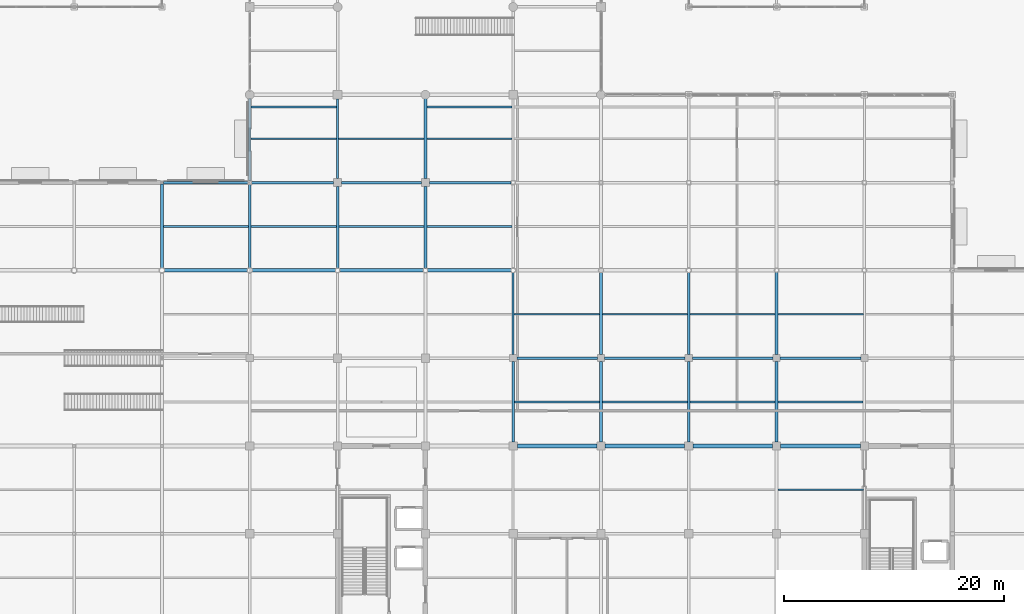
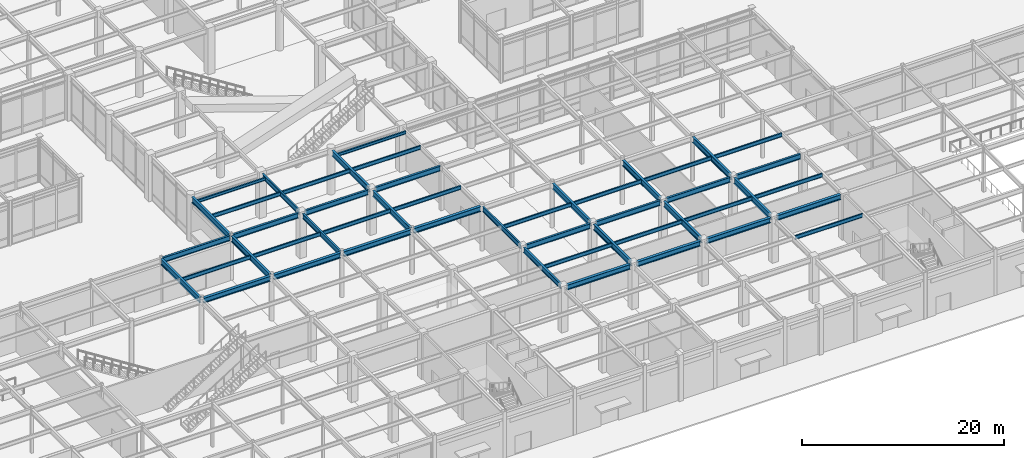
# One storey, part 48 of 128: 49 beams.
"""IFC4 building model written with IfcOpenShell, lengths in metres."""

from ifc_helpers import new_model, si_unit, direction, frame, origin, origin_2d, place, context, subcontext, project, spatial, i_section, extrude, material, material_profile, profile_set, type_object, element, save


model = new_model("IFC4")

# Units and contexts
model_context = context("Model", 3, precision=1e-05, world=origin(), true_north=direction((0.0, 1.0)))
body_context = subcontext(model_context, "Body", "Model", "MODEL_VIEW")
ifc_project = project(units=[si_unit("LENGTHUNIT", "METRE"), si_unit("AREAUNIT", "SQUARE_METRE"), si_unit("VOLUMEUNIT", "CUBIC_METRE"), si_unit("PLANEANGLEUNIT", "RADIAN"), si_unit("MASSUNIT", "GRAM", prefix="KILO")], contexts=[model_context])

# Site, building, storey
site_placement = place(None, origin())
site = spatial("IfcSite", under=ifc_project, at=site_placement, CompositionType="ELEMENT")
building_placement = place(site_placement, origin())
building = spatial("IfcBuilding", under=site, at=building_placement, Name="Solmirada Galleria", CompositionType="ELEMENT")
storey_placement = place(building_placement, origin())
storey = spatial("IfcBuildingStorey", under=building, at=storey_placement, Name="L00", CompositionType="ELEMENT", Elevation=0.0)

# Beams
ifc_material = material(Name="Steel S355 / ASTM A992 Grade 50", Category="steel")
ifc_material_profile_1 = material_profile(ifc_material, i_section(OverallWidth=0.323974609375, OverallDepth=0.611083984375, WebThickness=0.0126953125, FlangeThickness=0.01904296875, FilletRadius=0.014892578125, at=origin_2d()), Name="W24X104")
ifc_profile_set_1 = profile_set([ifc_material_profile_1], Name="Steel S355 / ASTM A992 Grade 50")
beam_type_1 = type_object("IfcBeamType", Name="BM-GIRD-W24A", PredefinedType="BEAM", material=ifc_profile_set_1)
beam_1_placement = place(storey_placement, frame((72.21337890625, 32.0, 5.074462890625), z_axis=(1.0, 0.0, 0.0), x_axis=(0.0, 1.0, 0.0)))
element("IfcBeam", 1, at=beam_1_placement, inside=storey, type_object=beam_type_1, Name="Primary beam L01 X(72..80, 32)", PredefinedType="BEAM", context=body_context, shape_type="SweptSolid", body=[
    extrude(i_section(OverallWidth=0.323974609375, OverallDepth=0.611083984375, WebThickness=0.0126953125, FlangeThickness=0.01904296875, FilletRadius=0.014892578125, at=origin_2d()), origin(), (0.0, 0.0, 1.0), 7.5732421875),
])
beam_2_placement = place(storey_placement, frame((80.21337890625, 32.0, 5.074462890625), z_axis=(1.0, 0.0, 0.0), x_axis=(0.0, 1.0, 0.0)))
element("IfcBeam", 2, at=beam_2_placement, inside=storey, type_object=beam_type_1, Name="Primary beam L01 X(80..88, 32)", PredefinedType="BEAM", context=body_context, shape_type="SweptSolid", body=[
    extrude(i_section(OverallWidth=0.323974609375, OverallDepth=0.611083984375, WebThickness=0.0126953125, FlangeThickness=0.01904296875, FilletRadius=0.014892578125, at=origin_2d()), origin(), (0.0, 0.0, 1.0), 7.5947265625),
])
for number, where, z_axis, x_axis, name in (
    (3, (88.19189453125, 32.0, 5.074462890625), (1.0, 0.0, 0.0), (0.0, 1.0, 0.0), "Primary beam L01 X(88..96, 32)"),
    (4, (96.19189453125, 32.0, 5.074462890625), (1.0, 0.0, 0.0), (0.0, 1.0, 0.0), "Primary beam L01 X(96..104, 32)"),
):
    element("IfcBeam", number, at=place(storey_placement, frame(where, z_axis=z_axis, x_axis=x_axis)), inside=storey, type_object=beam_type_1, Name=name, PredefinedType="BEAM", context=body_context, shape_type="SweptSolid", body=[
        extrude(i_section(OverallWidth=0.323974609375, OverallDepth=0.611083984375, WebThickness=0.0126953125, FlangeThickness=0.01904296875, FilletRadius=0.014892578125, at=origin_2d()), origin(), (0.0, 0.0, 1.0), 7.6162109375),
    ])
for number, where, z_axis, x_axis, name in (
    (5, (104.375, 16.0, 5.074462890625), (1.0, 0.0, 0.0), (0.0, 1.0, 0.0), "Primary beam L01 X(104..112, 16)"),
    (6, (112.375, 16.0, 5.074462890625), (1.0, 0.0, 0.0), (0.0, 1.0, 0.0), "Primary beam L01 X(112..120, 16)"),
    (7, (120.375, 16.0, 5.074462890625), (1.0, 0.0, 0.0), (0.0, 1.0, 0.0), "Primary beam L01 X(120..128, 16)"),
    (8, (128.375, 16.0, 5.074462890625), (1.0, 0.0, 0.0), (0.0, 1.0, 0.0), "Primary beam L01 X(128..136, 16)"),
):
    element("IfcBeam", number, at=place(storey_placement, frame(where, z_axis=z_axis, x_axis=x_axis)), inside=storey, type_object=beam_type_1, Name=name, PredefinedType="BEAM", context=body_context, shape_type="SweptSolid", body=[
        extrude(i_section(OverallWidth=0.323974609375, OverallDepth=0.611083984375, WebThickness=0.0126953125, FlangeThickness=0.01904296875, FilletRadius=0.014892578125, at=origin_2d()), origin(), (0.0, 0.0, 1.0), 7.25),
    ])
ifc_material_profile_2 = material_profile(ifc_material, i_section(OverallWidth=0.22900390625, OverallDepth=0.612060546875, WebThickness=0.011962890625, FlangeThickness=0.01953125, FilletRadius=0.014892578125, at=origin_2d()), Name="W24X84")
ifc_profile_set_2 = profile_set([ifc_material_profile_2], Name="Steel S355 / ASTM A992 Grade 50")
beam_type_2 = type_object("IfcBeamType", Name="BM-GIRD-W24B", PredefinedType="BEAM", material=ifc_profile_set_2)
beam_3_placement = place(storey_placement, frame((72.126953125, 40.0, 5.073974609375), z_axis=(1.0, 0.0, 0.0), x_axis=(0.0, 1.0, 0.0)))
element("IfcBeam", 9, at=beam_3_placement, inside=storey, type_object=beam_type_2, Name="Primary beam L01 X(72..80, 40)", PredefinedType="BEAM", context=body_context, shape_type="SweptSolid", body=[
    extrude(i_section(OverallWidth=0.22900390625, OverallDepth=0.612060546875, WebThickness=0.011962890625, FlangeThickness=0.01953125, FilletRadius=0.014892578125, at=origin_2d()), origin(), (0.0, 0.0, 1.0), 7.695068359375),
])
beam_4_placement = place(storey_placement, frame((80.177978515625, 40.0, 5.073974609375), z_axis=(1.0, 0.0, 0.0), x_axis=(0.0, 1.0, 0.0)))
element("IfcBeam", 10, at=beam_4_placement, inside=storey, type_object=beam_type_2, Name="Primary beam L01 X(80..88, 40)", PredefinedType="BEAM", context=body_context, shape_type="SweptSolid", body=[
    extrude(i_section(OverallWidth=0.22900390625, OverallDepth=0.612060546875, WebThickness=0.011962890625, FlangeThickness=0.01953125, FilletRadius=0.014892578125, at=origin_2d()), origin(), (0.0, 0.0, 1.0), 7.447021484375),
])
beam_5_placement = place(storey_placement, frame((88.375, 40.0, 5.073974609375), z_axis=(1.0, 0.0, 0.0), x_axis=(0.0, 1.0, 0.0)))
element("IfcBeam", 11, at=beam_5_placement, inside=storey, type_object=beam_type_2, Name="Primary beam L01 X(88..96, 40)", PredefinedType="BEAM", context=body_context, shape_type="SweptSolid", body=[
    extrude(i_section(OverallWidth=0.22900390625, OverallDepth=0.612060546875, WebThickness=0.011962890625, FlangeThickness=0.01953125, FilletRadius=0.014892578125, at=origin_2d()), origin(), (0.0, 0.0, 1.0), 7.25),
])
beam_6_placement = place(storey_placement, frame((96.375, 40.0, 5.073974609375), z_axis=(1.0, 0.0, 0.0), x_axis=(0.0, 1.0, 0.0)))
element("IfcBeam", 12, at=beam_6_placement, inside=storey, type_object=beam_type_2, Name="Primary beam L01 X(96..104, 40)", PredefinedType="BEAM", context=body_context, shape_type="SweptSolid", body=[
    extrude(i_section(OverallWidth=0.22900390625, OverallDepth=0.612060546875, WebThickness=0.011962890625, FlangeThickness=0.01953125, FilletRadius=0.014892578125, at=origin_2d()), origin(), (0.0, 0.0, 1.0), 7.447021484375),
])
for number, where, z_axis, x_axis, name in (
    (13, (104.324951171875, 24.0, 5.073974609375), (1.0, 0.0, 0.0), (0.0, 1.0, 0.0), "Primary beam L01 X(104..112, 24)"),
    (14, (112.324951171875, 24.0, 5.073974609375), (1.0, 0.0, 0.0), (0.0, 1.0, 0.0), "Primary beam L01 X(112..120, 24)"),
    (15, (120.324951171875, 24.0, 5.073974609375), (1.0, 0.0, 0.0), (0.0, 1.0, 0.0), "Primary beam L01 X(120..128, 24)"),
    (16, (128.324951171875, 24.0, 5.073974609375), (1.0, 0.0, 0.0), (0.0, 1.0, 0.0), "Primary beam L01 X(128..136, 24)"),
):
    element("IfcBeam", number, at=place(storey_placement, frame(where, z_axis=z_axis, x_axis=x_axis)), inside=storey, type_object=beam_type_2, Name=name, PredefinedType="BEAM", context=body_context, shape_type="SweptSolid", body=[
        extrude(i_section(OverallWidth=0.22900390625, OverallDepth=0.612060546875, WebThickness=0.011962890625, FlangeThickness=0.01953125, FilletRadius=0.014892578125, at=origin_2d()), origin(), (0.0, 0.0, 1.0), 7.35009765625),
    ])
ifc_material_profile_3 = material_profile(ifc_material, i_section(OverallWidth=0.22802734375, OverallDepth=0.60302734375, WebThickness=0.010498046875, FlangeThickness=0.014892578125, FilletRadius=0.014892578125, at=origin_2d()), Name="W24X68")
ifc_profile_set_3 = profile_set([ifc_material_profile_3], Name="Steel S355 / ASTM A992 Grade 50")
beam_type_3 = type_object("IfcBeamType", Name="BM-GIRD-W24C", PredefinedType="BEAM", material=ifc_profile_set_3)
beam_7_placement = place(storey_placement, frame((88.0, 32.19189453125, 5.07861328125), z_axis=(0.0, 1.0, 0.0), x_axis=(-1.0, 0.0, 0.0)))
element("IfcBeam", 17, at=beam_7_placement, inside=storey, type_object=beam_type_3, Name="Primary girder L01 Y(88, 32..40)", PredefinedType="BEAM", context=body_context, shape_type="SweptSolid", body=[
    extrude(i_section(OverallWidth=0.22802734375, OverallDepth=0.60302734375, WebThickness=0.010498046875, FlangeThickness=0.014892578125, FilletRadius=0.014892578125, at=origin_2d()), origin(), (0.0, 0.0, 1.0), 7.43310546875),
])
beam_8_placement = place(storey_placement, frame((104.0, 16.375, 5.07861328125), z_axis=(0.0, 1.0, 0.0), x_axis=(-1.0, 0.0, 0.0)))
element("IfcBeam", 18, at=beam_8_placement, inside=storey, type_object=beam_type_3, Name="Primary girder L01 Y(104, 16..24)", PredefinedType="BEAM", context=body_context, shape_type="SweptSolid", body=[
    extrude(i_section(OverallWidth=0.22802734375, OverallDepth=0.60302734375, WebThickness=0.010498046875, FlangeThickness=0.014892578125, FilletRadius=0.014892578125, at=origin_2d()), origin(), (0.0, 0.0, 1.0), 7.300048828125),
])
ifc_material_profile_4 = material_profile(ifc_material, i_section(OverallWidth=0.177978515625, OverallDepth=0.59912109375, WebThickness=0.010009765625, FlangeThickness=0.0126953125, FilletRadius=0.013916015625, at=origin_2d()), Name="W24X55")
ifc_profile_set_4 = profile_set([ifc_material_profile_4], Name="Steel S355 / ASTM A992 Grade 50")
beam_type_4 = type_object("IfcBeamType", Name="BM-GIRD-W24D", PredefinedType="BEAM", material=ifc_profile_set_4)
beam_9_placement = place(storey_placement, frame((88.0, 40.375, 5.060546875), z_axis=(0.0, 1.0, 0.0), x_axis=(-1.0, 0.0, 0.0)))
element("IfcBeam", 19, at=beam_9_placement, inside=storey, type_object=beam_type_4, Name="Primary girder L01 Y(88, 40..48)", PredefinedType="BEAM", context=body_context, shape_type="SweptSolid", body=[
    extrude(i_section(OverallWidth=0.177978515625, OverallDepth=0.59912109375, WebThickness=0.010009765625, FlangeThickness=0.0126953125, FilletRadius=0.013916015625, at=origin_2d()), origin(), (0.0, 0.0, 1.0), 7.22509765625),
])
beam_10_placement = place(storey_placement, frame((104.0, 24.324951171875, 5.08056640625), z_axis=(0.0, 1.0, 0.0), x_axis=(-1.0, 0.0, 0.0)))
element("IfcBeam", 20, at=beam_10_placement, inside=storey, type_object=beam_type_4, Name="Primary girder L01 Y(104, 24..32)", PredefinedType="BEAM", context=body_context, shape_type="SweptSolid", body=[
    extrude(i_section(OverallWidth=0.177978515625, OverallDepth=0.59912109375, WebThickness=0.010009765625, FlangeThickness=0.0126953125, FilletRadius=0.013916015625, at=origin_2d()), origin(), (0.0, 0.0, 1.0), 7.483154296875),
])
ifc_material_profile_5 = material_profile(ifc_material, i_section(OverallWidth=0.256103515625, OverallDepth=0.693115234375, WebThickness=0.014404296875, FlangeThickness=0.023681640625, FilletRadius=0.01806640625, at=origin_2d()), Name="W27X114")
ifc_profile_set_5 = profile_set([ifc_material_profile_5], Name="Steel S355 / ASTM A992 Grade 50")
beam_type_5 = type_object("IfcBeamType", Name="BM-GIRD-W27A", PredefinedType="BEAM", material=ifc_profile_set_5)
beam_11_placement = place(storey_placement, frame((72.0, 32.21337890625, 5.033447265625), z_axis=(0.0, 1.0, 0.0), x_axis=(-1.0, 0.0, 0.0)))
element("IfcBeam", 21, at=beam_11_placement, inside=storey, type_object=beam_type_5, Name="Primary girder L01 Y(72, 32..40)", PredefinedType="BEAM", context=body_context, shape_type="SweptSolid", body=[
    extrude(i_section(OverallWidth=0.256103515625, OverallDepth=0.693115234375, WebThickness=0.014404296875, FlangeThickness=0.023681640625, FilletRadius=0.01806640625, at=origin_2d()), origin(), (0.0, 0.0, 1.0), 7.65966796875),
])
beam_12_placement = place(storey_placement, frame((96.0, 32.19189453125, 5.033447265625), z_axis=(0.0, 1.0, 0.0), x_axis=(-1.0, 0.0, 0.0)))
element("IfcBeam", 22, at=beam_12_placement, inside=storey, type_object=beam_type_5, Name="Primary girder L01 Y(96, 32..40)", PredefinedType="BEAM", context=body_context, shape_type="SweptSolid", body=[
    extrude(i_section(OverallWidth=0.256103515625, OverallDepth=0.693115234375, WebThickness=0.014404296875, FlangeThickness=0.023681640625, FilletRadius=0.01806640625, at=origin_2d()), origin(), (0.0, 0.0, 1.0), 7.43310546875),
])
beam_13_placement = place(storey_placement, frame((96.0, 40.375, 5.013427734375), z_axis=(0.0, 1.0, 0.0), x_axis=(-1.0, 0.0, 0.0)))
element("IfcBeam", 23, at=beam_13_placement, inside=storey, type_object=beam_type_5, Name="Primary girder L01 Y(96, 40..48)", PredefinedType="BEAM", context=body_context, shape_type="SweptSolid", body=[
    extrude(i_section(OverallWidth=0.256103515625, OverallDepth=0.693115234375, WebThickness=0.014404296875, FlangeThickness=0.023681640625, FilletRadius=0.01806640625, at=origin_2d()), origin(), (0.0, 0.0, 1.0), 7.2890625),
])
beam_14_placement = place(storey_placement, frame((120.0, 16.375, 5.033447265625), z_axis=(0.0, 1.0, 0.0), x_axis=(-1.0, 0.0, 0.0)))
element("IfcBeam", 24, at=beam_14_placement, inside=storey, type_object=beam_type_5, Name="Primary girder L01 Y(120, 16..24)", PredefinedType="BEAM", context=body_context, shape_type="SweptSolid", body=[
    extrude(i_section(OverallWidth=0.256103515625, OverallDepth=0.693115234375, WebThickness=0.014404296875, FlangeThickness=0.023681640625, FilletRadius=0.01806640625, at=origin_2d()), origin(), (0.0, 0.0, 1.0), 7.300048828125),
])
beam_15_placement = place(storey_placement, frame((120.0, 24.324951171875, 5.033447265625), z_axis=(0.0, 1.0, 0.0), x_axis=(-1.0, 0.0, 0.0)))
element("IfcBeam", 25, at=beam_15_placement, inside=storey, type_object=beam_type_5, Name="Primary girder L01 Y(120, 24..32)", PredefinedType="BEAM", context=body_context, shape_type="SweptSolid", body=[
    extrude(i_section(OverallWidth=0.256103515625, OverallDepth=0.693115234375, WebThickness=0.014404296875, FlangeThickness=0.023681640625, FilletRadius=0.01806640625, at=origin_2d()), origin(), (0.0, 0.0, 1.0), 7.483154296875),
])
ifc_material_profile_6 = material_profile(ifc_material, i_section(OverallWidth=0.25390625, OverallDepth=0.68408203125, WebThickness=0.012451171875, FlangeThickness=0.018798828125, FilletRadius=0.01708984375, at=origin_2d()), Name="W27X94")
ifc_profile_set_6 = profile_set([ifc_material_profile_6], Name="Steel S355 / ASTM A992 Grade 50")
beam_type_6 = type_object("IfcBeamType", Name="BM-GIRD-W27B", PredefinedType="BEAM", material=ifc_profile_set_6)
beam_16_placement = place(storey_placement, frame((80.0, 32.21337890625, 5.0380859375), z_axis=(0.0, 1.0, 0.0), x_axis=(-1.0, 0.0, 0.0)))
element("IfcBeam", 26, at=beam_16_placement, inside=storey, type_object=beam_type_6, Name="Primary girder L01 Y(80, 32..40)", PredefinedType="BEAM", context=body_context, shape_type="SweptSolid", body=[
    extrude(i_section(OverallWidth=0.25390625, OverallDepth=0.68408203125, WebThickness=0.012451171875, FlangeThickness=0.018798828125, FilletRadius=0.01708984375, at=origin_2d()), origin(), (0.0, 0.0, 1.0), 7.608642578125),
])
beam_17_placement = place(storey_placement, frame((80.0, 40.177978515625, 5.01806640625), z_axis=(0.0, 1.0, 0.0), x_axis=(-1.0, 0.0, 0.0)))
element("IfcBeam", 27, at=beam_17_placement, inside=storey, type_object=beam_type_6, Name="Primary girder L01 Y(80, 40..48)", PredefinedType="BEAM", context=body_context, shape_type="SweptSolid", body=[
    extrude(i_section(OverallWidth=0.25390625, OverallDepth=0.68408203125, WebThickness=0.012451171875, FlangeThickness=0.018798828125, FilletRadius=0.01708984375, at=origin_2d()), origin(), (0.0, 0.0, 1.0), 7.486083984375),
])
beam_18_placement = place(storey_placement, frame((112.0, 16.375, 5.0380859375), z_axis=(0.0, 1.0, 0.0), x_axis=(-1.0, 0.0, 0.0)))
element("IfcBeam", 28, at=beam_18_placement, inside=storey, type_object=beam_type_6, Name="Primary girder L01 Y(112, 16..24)", PredefinedType="BEAM", context=body_context, shape_type="SweptSolid", body=[
    extrude(i_section(OverallWidth=0.25390625, OverallDepth=0.68408203125, WebThickness=0.012451171875, FlangeThickness=0.018798828125, FilletRadius=0.01708984375, at=origin_2d()), origin(), (0.0, 0.0, 1.0), 7.300048828125),
])
beam_19_placement = place(storey_placement, frame((112.0, 24.324951171875, 5.0380859375), z_axis=(0.0, 1.0, 0.0), x_axis=(-1.0, 0.0, 0.0)))
element("IfcBeam", 29, at=beam_19_placement, inside=storey, type_object=beam_type_6, Name="Primary girder L01 Y(112, 24..32)", PredefinedType="BEAM", context=body_context, shape_type="SweptSolid", body=[
    extrude(i_section(OverallWidth=0.25390625, OverallDepth=0.68408203125, WebThickness=0.012451171875, FlangeThickness=0.018798828125, FilletRadius=0.01708984375, at=origin_2d()), origin(), (0.0, 0.0, 1.0), 7.483154296875),
])
beam_20_placement = place(storey_placement, frame((128.0, 16.375, 5.0380859375), z_axis=(0.0, 1.0, 0.0), x_axis=(-1.0, 0.0, 0.0)))
element("IfcBeam", 30, at=beam_20_placement, inside=storey, type_object=beam_type_6, Name="Primary girder L01 Y(128, 16..24)", PredefinedType="BEAM", context=body_context, shape_type="SweptSolid", body=[
    extrude(i_section(OverallWidth=0.25390625, OverallDepth=0.68408203125, WebThickness=0.012451171875, FlangeThickness=0.018798828125, FilletRadius=0.01708984375, at=origin_2d()), origin(), (0.0, 0.0, 1.0), 7.300048828125),
])
beam_21_placement = place(storey_placement, frame((128.0, 24.324951171875, 5.0380859375), z_axis=(0.0, 1.0, 0.0), x_axis=(-1.0, 0.0, 0.0)))
element("IfcBeam", 31, at=beam_21_placement, inside=storey, type_object=beam_type_6, Name="Primary girder L01 Y(128, 24..32)", PredefinedType="BEAM", context=body_context, shape_type="SweptSolid", body=[
    extrude(i_section(OverallWidth=0.25390625, OverallDepth=0.68408203125, WebThickness=0.012451171875, FlangeThickness=0.018798828125, FilletRadius=0.01708984375, at=origin_2d()), origin(), (0.0, 0.0, 1.0), 7.504638671875),
])
ifc_material_profile_7 = material_profile(ifc_material, i_section(OverallWidth=0.1708984375, OverallDepth=0.35205078125, WebThickness=0.0068359375, FlangeThickness=0.009765625, FilletRadius=0.010986328125, at=origin_2d()), Name="W14X30")
ifc_profile_set_7 = profile_set([ifc_material_profile_7], Name="Steel S355 / ASTM A992 Grade 50")
beam_type_7 = type_object("IfcBeamType", Name="BM-JST-W14B", PredefinedType="JOIST", material=ifc_profile_set_7)
beam_22_placement = place(storey_placement, frame((80.126953125, 46.89990234375, 5.18408203125), z_axis=(1.0, 0.0, 0.0), x_axis=(0.0, 1.0, 0.0)))
element("IfcBeam", 32, at=beam_22_placement, inside=storey, type_object=beam_type_7, Name="Terrace deck joist L01-TERR-SW X=80..88 (2)", PredefinedType="JOIST", context=body_context, shape_type="SweptSolid", body=[
    extrude(i_section(OverallWidth=0.1708984375, OverallDepth=0.35205078125, WebThickness=0.0068359375, FlangeThickness=0.009765625, FilletRadius=0.010986328125, at=origin_2d()), origin(), (0.0, 0.0, 1.0), 7.783935546875),
])
beam_23_placement = place(storey_placement, frame((96.1279296875, 46.89990234375, 5.18408203125), z_axis=(1.0, 0.0, 0.0), x_axis=(0.0, 1.0, 0.0)))
element("IfcBeam", 33, at=beam_23_placement, inside=storey, type_object=beam_type_7, Name="Terrace deck joist L01-TERR-SE X=96..104 (2)", PredefinedType="JOIST", context=body_context, shape_type="SweptSolid", body=[
    extrude(i_section(OverallWidth=0.1708984375, OverallDepth=0.35205078125, WebThickness=0.0068359375, FlangeThickness=0.009765625, FilletRadius=0.010986328125, at=origin_2d()), origin(), (0.0, 0.0, 1.0), 7.782958984375),
])
ifc_material_profile_8 = material_profile(ifc_material, i_section(OverallWidth=0.153076171875, OverallDepth=0.455078125, WebThickness=0.008056640625, FlangeThickness=0.01318359375, FilletRadius=0.011962890625, at=origin_2d()), Name="W18X40")
ifc_profile_set_8 = profile_set([ifc_material_profile_8], Name="Steel S355 / ASTM A992 Grade 50")
beam_type_8 = type_object("IfcBeamType", Name="BM-JST-W18A", PredefinedType="JOIST", material=ifc_profile_set_8)
beam_24_placement = place(storey_placement, frame((72.1279296875, 36.0, 5.152587890625), z_axis=(1.0, 0.0, 0.0), x_axis=(0.0, 1.0, 0.0)))
element("IfcBeam", 34, at=beam_24_placement, inside=storey, type_object=beam_type_8, Name="Composite floor joist L01 (72..80, 36.0)", PredefinedType="JOIST", context=body_context, shape_type="SweptSolid", body=[
    extrude(i_section(OverallWidth=0.153076171875, OverallDepth=0.455078125, WebThickness=0.008056640625, FlangeThickness=0.01318359375, FilletRadius=0.011962890625, at=origin_2d()), origin(), (0.0, 0.0, 1.0), 7.7451171875),
])
beam_25_placement = place(storey_placement, frame((80.126953125, 36.0, 5.152587890625), z_axis=(1.0, 0.0, 0.0), x_axis=(0.0, 1.0, 0.0)))
element("IfcBeam", 35, at=beam_25_placement, inside=storey, type_object=beam_type_8, Name="Composite floor joist L01 (80..88, 36.0)", PredefinedType="JOIST", context=body_context, shape_type="SweptSolid", body=[
    extrude(i_section(OverallWidth=0.153076171875, OverallDepth=0.455078125, WebThickness=0.008056640625, FlangeThickness=0.01318359375, FilletRadius=0.011962890625, at=origin_2d()), origin(), (0.0, 0.0, 1.0), 7.759033203125),
])
beam_26_placement = place(storey_placement, frame((80.126953125, 44.0, 5.132568359375), z_axis=(1.0, 0.0, 0.0), x_axis=(0.0, 1.0, 0.0)))
element("IfcBeam", 36, at=beam_26_placement, inside=storey, type_object=beam_type_8, Name="Composite floor joist L01 (80..88, 44.0)", PredefinedType="JOIST", context=body_context, shape_type="SweptSolid", body=[
    extrude(i_section(OverallWidth=0.153076171875, OverallDepth=0.455078125, WebThickness=0.008056640625, FlangeThickness=0.01318359375, FilletRadius=0.011962890625, at=origin_2d()), origin(), (0.0, 0.0, 1.0), 7.783935546875),
])
beam_27_placement = place(storey_placement, frame((88.114013671875, 36.0, 5.152587890625), z_axis=(1.0, 0.0, 0.0), x_axis=(0.0, 1.0, 0.0)))
element("IfcBeam", 37, at=beam_27_placement, inside=storey, type_object=beam_type_8, Name="Composite floor joist L01 (88..96, 36.0)", PredefinedType="JOIST", context=body_context, shape_type="SweptSolid", body=[
    extrude(i_section(OverallWidth=0.153076171875, OverallDepth=0.455078125, WebThickness=0.008056640625, FlangeThickness=0.01318359375, FilletRadius=0.011962890625, at=origin_2d()), origin(), (0.0, 0.0, 1.0), 7.758056640625),
])
beam_28_placement = place(storey_placement, frame((88.089111328125, 44.0, 5.132568359375), z_axis=(1.0, 0.0, 0.0), x_axis=(0.0, 1.0, 0.0)))
element("IfcBeam", 38, at=beam_28_placement, inside=storey, type_object=beam_type_8, Name="Composite floor joist L01 (88..96, 44.0)", PredefinedType="JOIST", context=body_context, shape_type="SweptSolid", body=[
    extrude(i_section(OverallWidth=0.153076171875, OverallDepth=0.455078125, WebThickness=0.008056640625, FlangeThickness=0.01318359375, FilletRadius=0.011962890625, at=origin_2d()), origin(), (0.0, 0.0, 1.0), 7.782958984375),
])
beam_29_placement = place(storey_placement, frame((96.1279296875, 36.0, 5.152587890625), z_axis=(1.0, 0.0, 0.0), x_axis=(0.0, 1.0, 0.0)))
element("IfcBeam", 39, at=beam_29_placement, inside=storey, type_object=beam_type_8, Name="Composite floor joist L01 (96..104, 36.0)", PredefinedType="JOIST", context=body_context, shape_type="SweptSolid", body=[
    extrude(i_section(OverallWidth=0.153076171875, OverallDepth=0.455078125, WebThickness=0.008056640625, FlangeThickness=0.01318359375, FilletRadius=0.011962890625, at=origin_2d()), origin(), (0.0, 0.0, 1.0), 7.758056640625),
])
beam_30_placement = place(storey_placement, frame((96.1279296875, 44.0, 5.132568359375), z_axis=(1.0, 0.0, 0.0), x_axis=(0.0, 1.0, 0.0)))
element("IfcBeam", 40, at=beam_30_placement, inside=storey, type_object=beam_type_8, Name="Composite floor joist L01 (96..104, 44.0)", PredefinedType="JOIST", context=body_context, shape_type="SweptSolid", body=[
    extrude(i_section(OverallWidth=0.153076171875, OverallDepth=0.455078125, WebThickness=0.008056640625, FlangeThickness=0.01318359375, FilletRadius=0.011962890625, at=origin_2d()), origin(), (0.0, 0.0, 1.0), 7.782958984375),
])
beam_31_placement = place(storey_placement, frame((104.114013671875, 20.0, 5.152587890625), z_axis=(1.0, 0.0, 0.0), x_axis=(0.0, 1.0, 0.0)))
element("IfcBeam", 41, at=beam_31_placement, inside=storey, type_object=beam_type_8, Name="Composite floor joist L01 (104..112, 20.0)", PredefinedType="JOIST", context=body_context, shape_type="SweptSolid", body=[
    extrude(i_section(OverallWidth=0.153076171875, OverallDepth=0.455078125, WebThickness=0.008056640625, FlangeThickness=0.01318359375, FilletRadius=0.011962890625, at=origin_2d()), origin(), (0.0, 0.0, 1.0), 7.759033203125),
])
beam_32_placement = place(storey_placement, frame((104.089111328125, 28.0, 5.152587890625), z_axis=(1.0, 0.0, 0.0), x_axis=(0.0, 1.0, 0.0)))
element("IfcBeam", 42, at=beam_32_placement, inside=storey, type_object=beam_type_8, Name="Composite floor joist L01 (104..112, 28.0)", PredefinedType="JOIST", context=body_context, shape_type="SweptSolid", body=[
    extrude(i_section(OverallWidth=0.153076171875, OverallDepth=0.455078125, WebThickness=0.008056640625, FlangeThickness=0.01318359375, FilletRadius=0.011962890625, at=origin_2d()), origin(), (0.0, 0.0, 1.0), 7.783935546875),
])
for number, where, z_axis, x_axis, name in (
    (43, (112.126953125, 20.0, 5.152587890625), (1.0, 0.0, 0.0), (0.0, 1.0, 0.0), "Composite floor joist L01 (112..120, 20.0)"),
    (44, (112.126953125, 28.0, 5.152587890625), (1.0, 0.0, 0.0), (0.0, 1.0, 0.0), "Composite floor joist L01 (112..120, 28.0)"),
    (45, (120.1279296875, 20.0, 5.152587890625), (1.0, 0.0, 0.0), (0.0, 1.0, 0.0), "Composite floor joist L01 (120..128, 20.0)"),
    (46, (120.1279296875, 28.0, 5.152587890625), (1.0, 0.0, 0.0), (0.0, 1.0, 0.0), "Composite floor joist L01 (120..128, 28.0)"),
):
    element("IfcBeam", number, at=place(storey_placement, frame(where, z_axis=z_axis, x_axis=x_axis)), inside=storey, type_object=beam_type_8, Name=name, PredefinedType="JOIST", context=body_context, shape_type="SweptSolid", body=[
        extrude(i_section(OverallWidth=0.153076171875, OverallDepth=0.455078125, WebThickness=0.008056640625, FlangeThickness=0.01318359375, FilletRadius=0.011962890625, at=origin_2d()), origin(), (0.0, 0.0, 1.0), 7.7451171875),
    ])
beam_33_placement = place(storey_placement, frame((128.126953125, 12.0, 5.152587890625), z_axis=(1.0, 0.0, 0.0), x_axis=(0.0, 1.0, 0.0)))
element("IfcBeam", 47, at=beam_33_placement, inside=storey, type_object=beam_type_8, Name="Composite floor joist L01 (128..136, 12.0)", PredefinedType="JOIST", context=body_context, shape_type="SweptSolid", body=[
    extrude(i_section(OverallWidth=0.153076171875, OverallDepth=0.455078125, WebThickness=0.008056640625, FlangeThickness=0.01318359375, FilletRadius=0.011962890625, at=origin_2d()), origin(), (0.0, 0.0, 1.0), 7.783935546875),
])
beam_34_placement = place(storey_placement, frame((128.126953125, 20.0, 5.152587890625), z_axis=(1.0, 0.0, 0.0), x_axis=(0.0, 1.0, 0.0)))
element("IfcBeam", 48, at=beam_34_placement, inside=storey, type_object=beam_type_8, Name="Composite floor joist L01 (128..136, 20.0)", PredefinedType="JOIST", context=body_context, shape_type="SweptSolid", body=[
    extrude(i_section(OverallWidth=0.153076171875, OverallDepth=0.455078125, WebThickness=0.008056640625, FlangeThickness=0.01318359375, FilletRadius=0.011962890625, at=origin_2d()), origin(), (0.0, 0.0, 1.0), 7.759033203125),
])
beam_35_placement = place(storey_placement, frame((128.126953125, 28.0, 5.152587890625), z_axis=(1.0, 0.0, 0.0), x_axis=(0.0, 1.0, 0.0)))
element("IfcBeam", 49, at=beam_35_placement, inside=storey, type_object=beam_type_8, Name="Composite floor joist L01 (128..136, 28.0)", PredefinedType="JOIST", context=body_context, shape_type="SweptSolid", body=[
    extrude(i_section(OverallWidth=0.153076171875, OverallDepth=0.455078125, WebThickness=0.008056640625, FlangeThickness=0.01318359375, FilletRadius=0.011962890625, at=origin_2d()), origin(), (0.0, 0.0, 1.0), 7.783935546875),
])

save(model, "model.ifc")
